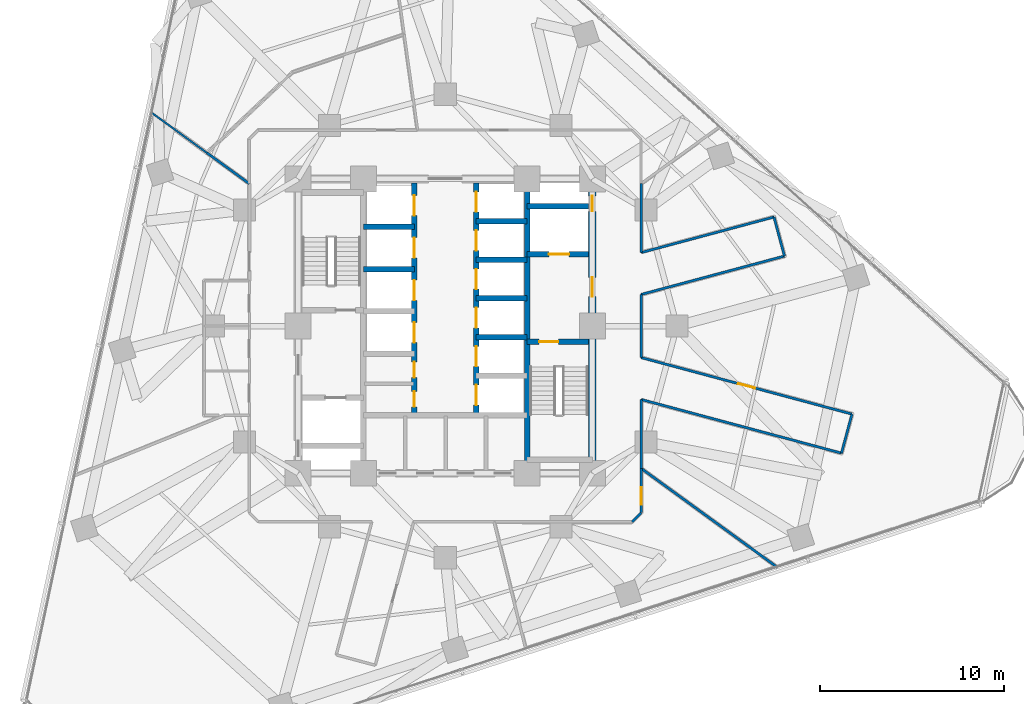
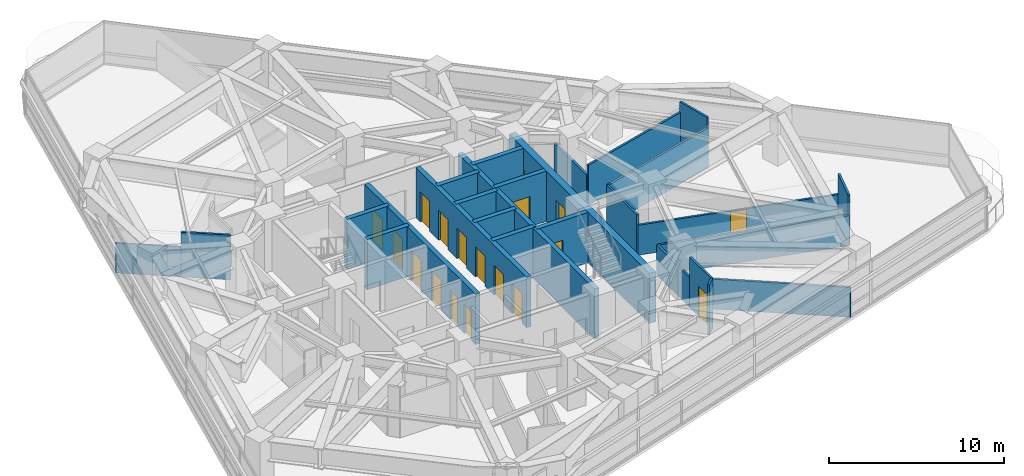
# One storey, part 9 of 14: 27 walls, 18 doors, 18 openings.
"""IFC4 building model written with IfcOpenShell, lengths in metres."""

from ifc_helpers import new_model, si_unit, direction, frame, frame_2d, origin, place, context, subcontext, project, spatial, rectangle, extrude, material, layer, layer_set, type_object, element, fill, save


model = new_model("IFC4")

# Units and contexts
model_context = context("Model", 3, precision=1e-05, world=origin(), true_north=direction((0.0, 1.0)))
body_context = subcontext(model_context, "Body", "Model", "MODEL_VIEW")
ifc_project = project(units=[si_unit("LENGTHUNIT", "METRE"), si_unit("AREAUNIT", "SQUARE_METRE"), si_unit("VOLUMEUNIT", "CUBIC_METRE"), si_unit("PLANEANGLEUNIT", "RADIAN"), si_unit("MASSUNIT", "GRAM", prefix="KILO")], contexts=[model_context])

# Site, building, storey
site_placement = place(None, origin())
site = spatial("IfcSite", under=ifc_project, at=site_placement, CompositionType="ELEMENT")
building_placement = place(site_placement, origin())
building = spatial("IfcBuilding", under=site, at=building_placement, Name="Terralouvre Media Tower", CompositionType="ELEMENT")
storey_placement = place(building_placement, frame((0.0, 0.0, 116.199951171875)))
storey = spatial("IfcBuildingStorey", under=building, at=storey_placement, Name="L29", CompositionType="ELEMENT", Elevation=116.199951171875)

# Wall
ifc_material_1 = material(Name="Concrete C50/60", Category="concrete")
ifc_layer_1 = layer(ifc_material_1, 0.300048828125, Name="Core Internal Shaft Wall CW-300")
ifc_layer_set_1 = layer_set([ifc_layer_1], Name="Concrete C50/60")
wall_type_1 = type_object("IfcWallType", Name="Core Internal Shaft Wall CW-300", PredefinedType="SHEAR", material=ifc_layer_set_1)
wall_1_placement = place(storey_placement, frame((4.449951171875, -7.7900390625, 0.0), z_axis=(0.0, 0.0, 1.0), x_axis=(0.0, 1.0, 0.0)))
element("IfcWall", 1, at=wall_1_placement, inside=storey, type_object=wall_type_1, Name="L29 Core Shaft Wall SPE", PredefinedType="SHEAR", context=body_context, shape_type="SweptSolid", body=[
    extrude(rectangle(XDim=15.580078125, YDim=0.300048828125, at=frame_2d((7.7900390625, 0.0))), origin(), (0.0, 0.0, 1.0), 3.5),
])

# Wall, opening, door
wall_2_placement = place(storey_placement, frame((4.449951171875, -0.85009765625, 0.0), z_axis=(0.0, 0.0, 1.0), x_axis=(1.0, 0.0, 0.0)))
wall_2 = element("IfcWall", 2, at=wall_2_placement, inside=storey, type_object=wall_type_1, Name="L29 Core Shaft Wall ST2D", PredefinedType="SHEAR", context=body_context, shape_type="SweptSolid", body=[
    extrude(rectangle(XDim=3.340087890625, YDim=0.300048828125, at=frame_2d((1.669921875, 0.0))), origin(), (0.0, 0.0, 1.0), 3.5),
])
opening_1_placement = place(wall_2_placement, frame((0.64990234375, 0.0, 0.0)))
opening_1 = element("IfcOpeningElement", 3, at=opening_1_placement, cuts=wall_2, Name="Opening FD-01-105X215", PredefinedType="OPENING", context=body_context, shape_type="SweptSolid", body=[
    extrude(rectangle(XDim=1.050048828125, YDim=2.14990234375, at=frame_2d((0.52490234375, 1.074951171875))), frame((0.0, 0.159912109375, 0.0), z_axis=(0.0, -1.0, 0.0), x_axis=(1.0, 0.0, 0.0)), (0.0, 0.0, 1.0), 0.320068359375),
])
ifc_material_2 = material(Name="Galvanised steel fire-resisting leaf", Category="steel")
door_type_1 = type_object("IfcDoorType", Name="Stair and Firefighting Lobby Fire Door FD-01 (1050x2150)", OperationType="NOTDEFINED", PredefinedType="DOOR", material=ifc_material_2)
door_1_placement = place(opening_1_placement, origin())
door_1 = element("IfcDoor", 4, at=door_1_placement, inside=storey, type_object=door_type_1, Name="L29 ST-02 Exit Stair Door", OperationType="SINGLE_SWING_RIGHT", OverallHeight=2.14990234375, OverallWidth=1.050048828125, PredefinedType="DOOR", context=body_context, shape_type="SweptSolid", body=[
    extrude(rectangle(XDim=1.050048828125, YDim=2.14990234375, at=frame_2d((0.52490234375, 1.074951171875))), frame((0.0, 0.02490234375, 0.0), z_axis=(0.0, -1.0, 0.0), x_axis=(1.0, 0.0, 0.0)), (0.0, 0.0, 1.0), 0.050048828125),
])
fill(opening_1, door_1)

wall_3_placement = place(storey_placement, frame((4.449951171875, 3.89990234375, 0.0), z_axis=(0.0, 0.0, 1.0), x_axis=(1.0, 0.0, 0.0)))
wall_3 = element("IfcWall", 5, at=wall_3_placement, inside=storey, type_object=wall_type_1, Name="L29 Core Shaft Wall FF2S", PredefinedType="SHEAR", context=body_context, shape_type="SweptSolid", body=[
    extrude(rectangle(XDim=3.340087890625, YDim=0.300048828125, at=frame_2d((1.669921875, 0.0))), origin(), (0.0, 0.0, 1.0), 3.5),
])
opening_2_placement = place(wall_3_placement, frame((1.179931640625, 0.0, 0.0)))
opening_2 = element("IfcOpeningElement", 6, at=opening_2_placement, cuts=wall_3, Name="Opening LD-FF", PredefinedType="OPENING", context=body_context, shape_type="SweptSolid", body=[
    extrude(rectangle(XDim=1.10009765625, YDim=2.10009765625, at=frame_2d((0.550048828125, 1.050048828125))), frame((0.0, 0.159912109375, 0.0), z_axis=(0.0, -1.0, 0.0), x_axis=(1.0, 0.0, 0.0)), (0.0, 0.0, 1.0), 0.320068359375),
])
ifc_material_3 = material(Name="Stainless steel 316 handrail and balustrade", Category="steel")
door_type_2 = type_object("IfcDoorType", Name="Firefighting Lift Sliding Landing Door LD-FF", OperationType="SLIDING_TO_LEFT", PredefinedType="DOOR", material=ifc_material_3)
door_2_placement = place(opening_2_placement, origin())
door_2 = element("IfcDoor", 7, at=door_2_placement, inside=storey, type_object=door_type_2, Name="L29 Firefighting Lift FFL-02 Landing Door", OperationType="SLIDING_TO_LEFT", OverallHeight=2.10009765625, OverallWidth=1.10009765625, PredefinedType="DOOR", context=body_context, shape_type="SweptSolid", body=[
    extrude(rectangle(XDim=1.10009765625, YDim=2.10009765625, at=frame_2d((0.550048828125, 1.050048828125))), frame((0.0, 0.02490234375, 0.0), z_axis=(0.0, -1.0, 0.0), x_axis=(1.0, 0.0, 0.0)), (0.0, 0.0, 1.0), 0.050048828125),
])
fill(opening_2, door_2)

# Wall
wall_4_placement = place(storey_placement, frame((4.449951171875, 6.5, 0.0), z_axis=(0.0, 0.0, 1.0), x_axis=(1.0, 0.0, 0.0)))
element("IfcWall", 8, at=wall_4_placement, inside=storey, type_object=wall_type_1, Name="L29 Core Shaft Wall FF2N", PredefinedType="SHEAR", context=body_context, shape_type="SweptSolid", body=[
    extrude(rectangle(XDim=3.340087890625, YDim=0.300048828125, at=frame_2d((1.669921875, 0.0))), origin(), (0.0, 0.0, 1.0), 3.5),
])

# Wall, openings, doors
wall_5_placement = place(storey_placement, frame((-1.679931640625, -4.85009765625, 0.0), z_axis=(0.0, 0.0, 1.0), x_axis=(0.0, 1.0, 0.0)))
wall_5 = element("IfcWall", 9, at=wall_5_placement, inside=storey, type_object=wall_type_1, Name="L29 Core Shaft Wall LBW", PredefinedType="SHEAR", context=body_context, shape_type="SweptSolid", body=[
    extrude(rectangle(XDim=12.64013671875, YDim=0.300048828125, at=frame_2d((6.320068359375, 0.0))), origin(), (0.0, 0.0, 1.0), 3.5),
])
opening_3_placement = place(wall_5_placement, frame((3.949951171875, 0.0, 0.0)))
opening_3 = element("IfcOpeningElement", 10, at=opening_3_placement, cuts=wall_5, Name="Opening LD-PL", PredefinedType="OPENING", context=body_context, shape_type="SweptSolid", body=[
    extrude(rectangle(XDim=1.10009765625, YDim=2.10009765625, at=frame_2d((0.550048828125, 1.050048828125))), frame((0.0, 0.159912109375, 0.0), z_axis=(0.0, -1.0, 0.0), x_axis=(1.0, 0.0, 0.0)), (0.0, 0.0, 1.0), 0.320068359375),
])
opening_4_placement = place(wall_5_placement, frame((6.25, 0.0, 0.0)))
opening_4 = element("IfcOpeningElement", 11, at=opening_4_placement, cuts=wall_5, Name="Opening LD-PL", PredefinedType="OPENING", context=body_context, shape_type="SweptSolid", body=[
    extrude(rectangle(XDim=1.10009765625, YDim=2.10009765625, at=frame_2d((0.550048828125, 1.050048828125))), frame((0.0, 0.159912109375, 0.0), z_axis=(0.0, -1.0, 0.0), x_axis=(1.0, 0.0, 0.0)), (0.0, 0.0, 1.0), 0.320068359375),
])
opening_5_placement = place(wall_5_placement, frame((8.550048828125, 0.0, 0.0)))
opening_5 = element("IfcOpeningElement", 12, at=opening_5_placement, cuts=wall_5, Name="Opening LD-PL", PredefinedType="OPENING", context=body_context, shape_type="SweptSolid", body=[
    extrude(rectangle(XDim=1.10009765625, YDim=2.10009765625, at=frame_2d((0.550048828125, 1.050048828125))), frame((0.0, 0.159912109375, 0.0), z_axis=(0.0, -1.0, 0.0), x_axis=(1.0, 0.0, 0.0)), (0.0, 0.0, 1.0), 0.320068359375),
])
opening_6_placement = place(wall_5_placement, frame((10.85009765625, 0.0, 0.0)))
opening_6 = element("IfcOpeningElement", 13, at=opening_6_placement, cuts=wall_5, Name="Opening LD-PL", PredefinedType="OPENING", context=body_context, shape_type="SweptSolid", body=[
    extrude(rectangle(XDim=1.10009765625, YDim=2.10009765625, at=frame_2d((0.550048828125, 1.050048828125))), frame((0.0, 0.159912109375, 0.0), z_axis=(0.0, -1.0, 0.0), x_axis=(1.0, 0.0, 0.0)), (0.0, 0.0, 1.0), 0.320068359375),
])
opening_7_placement = place(wall_5_placement, frame((0.449951171875, 0.0, 0.0)))
opening_7 = element("IfcOpeningElement", 14, at=opening_7_placement, cuts=wall_5, Name="Opening TD-R1", PredefinedType="OPENING", context=body_context, shape_type="SweptSolid", body=[
    extrude(rectangle(XDim=0.85009765625, YDim=2.02001953125, at=frame_2d((0.425048828125, 1.010009765625))), frame((0.0, 0.159912109375, 0.0), z_axis=(0.0, -1.0, 0.0), x_axis=(1.0, 0.0, 0.0)), (0.0, 0.0, 1.0), 0.320068359375),
])
opening_8_placement = place(wall_5_placement, frame((2.050048828125, 0.0, 0.0)))
opening_8 = element("IfcOpeningElement", 15, at=opening_8_placement, cuts=wall_5, Name="Opening TD-R1", PredefinedType="OPENING", context=body_context, shape_type="SweptSolid", body=[
    extrude(rectangle(XDim=0.85009765625, YDim=2.02001953125, at=frame_2d((0.425048828125, 1.010009765625))), frame((0.0, 0.159912109375, 0.0), z_axis=(0.0, -1.0, 0.0), x_axis=(1.0, 0.0, 0.0)), (0.0, 0.0, 1.0), 0.320068359375),
])
ifc_material_4 = material(Name="Stainless steel 316 handrail and balustrade", Category="steel")
door_type_3 = type_object("IfcDoorType", Name="Passenger Lift Sliding Landing Door LD-PL", OperationType="SLIDING_TO_LEFT", PredefinedType="DOOR", material=ifc_material_4)
door_3_placement = place(opening_3_placement, origin())
door_3 = element("IfcDoor", 16, at=door_3_placement, inside=storey, type_object=door_type_3, Name="L29 Low-Rise Lift PL-L1 Landing Door", OperationType="SLIDING_TO_LEFT", OverallHeight=2.10009765625, OverallWidth=1.10009765625, PredefinedType="DOOR", context=body_context, shape_type="SweptSolid", body=[
    extrude(rectangle(XDim=1.10009765625, YDim=2.10009765625, at=frame_2d((0.550048828125, 1.050048828125))), frame((0.0, 0.02490234375, 0.0), z_axis=(0.0, -1.0, 0.0), x_axis=(1.0, 0.0, 0.0)), (0.0, 0.0, 1.0), 0.050048828125),
])
fill(opening_3, door_3)
door_4_placement = place(opening_4_placement, origin())
door_4 = element("IfcDoor", 17, at=door_4_placement, inside=storey, type_object=door_type_3, Name="L29 Low-Rise Lift PL-L2 Landing Door", OperationType="SLIDING_TO_LEFT", OverallHeight=2.10009765625, OverallWidth=1.10009765625, PredefinedType="DOOR", context=body_context, shape_type="SweptSolid", body=[
    extrude(rectangle(XDim=1.10009765625, YDim=2.10009765625, at=frame_2d((0.550048828125, 1.050048828125))), frame((0.0, 0.02490234375, 0.0), z_axis=(0.0, -1.0, 0.0), x_axis=(1.0, 0.0, 0.0)), (0.0, 0.0, 1.0), 0.050048828125),
])
fill(opening_4, door_4)
door_5_placement = place(opening_5_placement, origin())
door_5 = element("IfcDoor", 18, at=door_5_placement, inside=storey, type_object=door_type_3, Name="L29 Low-Rise Lift PL-L3 Landing Door", OperationType="SLIDING_TO_LEFT", OverallHeight=2.10009765625, OverallWidth=1.10009765625, PredefinedType="DOOR", context=body_context, shape_type="SweptSolid", body=[
    extrude(rectangle(XDim=1.10009765625, YDim=2.10009765625, at=frame_2d((0.550048828125, 1.050048828125))), frame((0.0, 0.02490234375, 0.0), z_axis=(0.0, -1.0, 0.0), x_axis=(1.0, 0.0, 0.0)), (0.0, 0.0, 1.0), 0.050048828125),
])
fill(opening_5, door_5)
door_6_placement = place(opening_6_placement, origin())
door_6 = element("IfcDoor", 19, at=door_6_placement, inside=storey, type_object=door_type_3, Name="L29 Low-Rise Lift PL-L4 Landing Door", OperationType="SLIDING_TO_LEFT", OverallHeight=2.10009765625, OverallWidth=1.10009765625, PredefinedType="DOOR", context=body_context, shape_type="SweptSolid", body=[
    extrude(rectangle(XDim=1.10009765625, YDim=2.10009765625, at=frame_2d((0.550048828125, 1.050048828125))), frame((0.0, 0.02490234375, 0.0), z_axis=(0.0, -1.0, 0.0), x_axis=(1.0, 0.0, 0.0)), (0.0, 0.0, 1.0), 0.050048828125),
])
fill(opening_6, door_6)
ifc_material_5 = material(Name="Galvanised steel fire-resisting leaf", Category="steel")
door_type_4 = type_object("IfcDoorType", Name="Riser Inspection Access Trapdoor TD-R1", OperationType="NOTDEFINED", PredefinedType="TRAPDOOR", material=ifc_material_5)
door_7_placement = place(opening_7_placement, origin())
door_7 = element("IfcDoor", 20, at=door_7_placement, inside=storey, type_object=door_type_4, Name="L29 Core Cleaners Closet Door", OperationType="SINGLE_SWING_LEFT", OverallHeight=2.02001953125, OverallWidth=0.85009765625, PredefinedType="TRAPDOOR", context=body_context, shape_type="SweptSolid", body=[
    extrude(rectangle(XDim=0.85009765625, YDim=2.02001953125, at=frame_2d((0.425048828125, 1.010009765625))), frame((0.0, 0.02490234375, 0.0), z_axis=(0.0, -1.0, 0.0), x_axis=(1.0, 0.0, 0.0)), (0.0, 0.0, 1.0), 0.050048828125),
])
fill(opening_7, door_7)
door_8_placement = place(opening_8_placement, origin())
door_8 = element("IfcDoor", 21, at=door_8_placement, inside=storey, type_object=door_type_4, Name="L29 Core Metering Closet Door", OperationType="SINGLE_SWING_RIGHT", OverallHeight=2.02001953125, OverallWidth=0.85009765625, PredefinedType="TRAPDOOR", context=body_context, shape_type="SweptSolid", body=[
    extrude(rectangle(XDim=0.85009765625, YDim=2.02001953125, at=frame_2d((0.425048828125, 1.010009765625))), frame((0.0, 0.02490234375, 0.0), z_axis=(0.0, -1.0, 0.0), x_axis=(1.0, 0.0, 0.0)), (0.0, 0.0, 1.0), 0.050048828125),
])
fill(opening_8, door_8)

wall_6_placement = place(storey_placement, frame((1.679931640625, -4.85009765625, 0.0), z_axis=(0.0, 0.0, 1.0), x_axis=(0.0, 1.0, 0.0)))
wall_6 = element("IfcWall", 22, at=wall_6_placement, inside=storey, type_object=wall_type_1, Name="L29 Core Shaft Wall LBE", PredefinedType="SHEAR", context=body_context, shape_type="SweptSolid", body=[
    extrude(rectangle(XDim=12.64013671875, YDim=0.300048828125, at=frame_2d((6.320068359375, 0.0))), origin(), (0.0, 0.0, 1.0), 3.5),
])
opening_9_placement = place(wall_6_placement, frame((0.550048828125, 0.0, 0.0)))
opening_9 = element("IfcOpeningElement", 23, at=opening_9_placement, cuts=wall_6, Name="Opening LD-PL", PredefinedType="OPENING", context=body_context, shape_type="SweptSolid", body=[
    extrude(rectangle(XDim=1.10009765625, YDim=2.10009765625, at=frame_2d((0.550048828125, 1.050048828125))), frame((0.0, 0.159912109375, 0.0), z_axis=(0.0, -1.0, 0.0), x_axis=(1.0, 0.0, 0.0)), (0.0, 0.0, 1.0), 0.320068359375),
])
opening_10_placement = place(wall_6_placement, frame((2.64990234375, 0.0, 0.0)))
opening_10 = element("IfcOpeningElement", 24, at=opening_10_placement, cuts=wall_6, Name="Opening LD-PL", PredefinedType="OPENING", context=body_context, shape_type="SweptSolid", body=[
    extrude(rectangle(XDim=1.10009765625, YDim=2.10009765625, at=frame_2d((0.550048828125, 1.050048828125))), frame((0.0, 0.159912109375, 0.0), z_axis=(0.0, -1.0, 0.0), x_axis=(1.0, 0.0, 0.0)), (0.0, 0.0, 1.0), 0.320068359375),
])
opening_11_placement = place(wall_6_placement, frame((4.75, 0.0, 0.0)))
opening_11 = element("IfcOpeningElement", 25, at=opening_11_placement, cuts=wall_6, Name="Opening LD-PL", PredefinedType="OPENING", context=body_context, shape_type="SweptSolid", body=[
    extrude(rectangle(XDim=1.10009765625, YDim=2.10009765625, at=frame_2d((0.550048828125, 1.050048828125))), frame((0.0, 0.159912109375, 0.0), z_axis=(0.0, -1.0, 0.0), x_axis=(1.0, 0.0, 0.0)), (0.0, 0.0, 1.0), 0.320068359375),
])
opening_12_placement = place(wall_6_placement, frame((6.85009765625, 0.0, 0.0)))
opening_12 = element("IfcOpeningElement", 26, at=opening_12_placement, cuts=wall_6, Name="Opening LD-PL", PredefinedType="OPENING", context=body_context, shape_type="SweptSolid", body=[
    extrude(rectangle(XDim=1.10009765625, YDim=2.10009765625, at=frame_2d((0.550048828125, 1.050048828125))), frame((0.0, 0.159912109375, 0.0), z_axis=(0.0, -1.0, 0.0), x_axis=(1.0, 0.0, 0.0)), (0.0, 0.0, 1.0), 0.320068359375),
])
opening_13_placement = place(wall_6_placement, frame((8.949951171875, 0.0, 0.0)))
opening_13 = element("IfcOpeningElement", 27, at=opening_13_placement, cuts=wall_6, Name="Opening LD-PL", PredefinedType="OPENING", context=body_context, shape_type="SweptSolid", body=[
    extrude(rectangle(XDim=1.10009765625, YDim=2.10009765625, at=frame_2d((0.550048828125, 1.050048828125))), frame((0.0, 0.159912109375, 0.0), z_axis=(0.0, -1.0, 0.0), x_axis=(1.0, 0.0, 0.0)), (0.0, 0.0, 1.0), 0.320068359375),
])
opening_14_placement = place(wall_6_placement, frame((11.050048828125, 0.0, 0.0)))
opening_14 = element("IfcOpeningElement", 28, at=opening_14_placement, cuts=wall_6, Name="Opening LD-PL", PredefinedType="OPENING", context=body_context, shape_type="SweptSolid", body=[
    extrude(rectangle(XDim=1.10009765625, YDim=2.10009765625, at=frame_2d((0.550048828125, 1.050048828125))), frame((0.0, 0.159912109375, 0.0), z_axis=(0.0, -1.0, 0.0), x_axis=(1.0, 0.0, 0.0)), (0.0, 0.0, 1.0), 0.320068359375),
])
door_9_placement = place(opening_9_placement, origin())
door_9 = element("IfcDoor", 29, at=door_9_placement, inside=storey, type_object=door_type_3, Name="L29 High-Rise Lift PL-H1 Landing Door", OperationType="SLIDING_TO_LEFT", OverallHeight=2.10009765625, OverallWidth=1.10009765625, PredefinedType="DOOR", context=body_context, shape_type="SweptSolid", body=[
    extrude(rectangle(XDim=1.10009765625, YDim=2.10009765625, at=frame_2d((0.550048828125, 1.050048828125))), frame((0.0, 0.02490234375, 0.0), z_axis=(0.0, -1.0, 0.0), x_axis=(1.0, 0.0, 0.0)), (0.0, 0.0, 1.0), 0.050048828125),
])
fill(opening_9, door_9)
door_10_placement = place(opening_10_placement, origin())
door_10 = element("IfcDoor", 30, at=door_10_placement, inside=storey, type_object=door_type_3, Name="L29 High-Rise Lift PL-H2 Landing Door", OperationType="SLIDING_TO_LEFT", OverallHeight=2.10009765625, OverallWidth=1.10009765625, PredefinedType="DOOR", context=body_context, shape_type="SweptSolid", body=[
    extrude(rectangle(XDim=1.10009765625, YDim=2.10009765625, at=frame_2d((0.550048828125, 1.050048828125))), frame((0.0, 0.02490234375, 0.0), z_axis=(0.0, -1.0, 0.0), x_axis=(1.0, 0.0, 0.0)), (0.0, 0.0, 1.0), 0.050048828125),
])
fill(opening_10, door_10)
door_11_placement = place(opening_11_placement, origin())
door_11 = element("IfcDoor", 31, at=door_11_placement, inside=storey, type_object=door_type_3, Name="L29 High-Rise Lift PL-H3 Landing Door", OperationType="SLIDING_TO_LEFT", OverallHeight=2.10009765625, OverallWidth=1.10009765625, PredefinedType="DOOR", context=body_context, shape_type="SweptSolid", body=[
    extrude(rectangle(XDim=1.10009765625, YDim=2.10009765625, at=frame_2d((0.550048828125, 1.050048828125))), frame((0.0, 0.02490234375, 0.0), z_axis=(0.0, -1.0, 0.0), x_axis=(1.0, 0.0, 0.0)), (0.0, 0.0, 1.0), 0.050048828125),
])
fill(opening_11, door_11)
door_12_placement = place(opening_12_placement, origin())
door_12 = element("IfcDoor", 32, at=door_12_placement, inside=storey, type_object=door_type_3, Name="L29 Mid-Rise Lift PL-M1 Landing Door", OperationType="SLIDING_TO_LEFT", OverallHeight=2.10009765625, OverallWidth=1.10009765625, PredefinedType="DOOR", context=body_context, shape_type="SweptSolid", body=[
    extrude(rectangle(XDim=1.10009765625, YDim=2.10009765625, at=frame_2d((0.550048828125, 1.050048828125))), frame((0.0, 0.02490234375, 0.0), z_axis=(0.0, -1.0, 0.0), x_axis=(1.0, 0.0, 0.0)), (0.0, 0.0, 1.0), 0.050048828125),
])
fill(opening_12, door_12)
door_13_placement = place(opening_13_placement, origin())
door_13 = element("IfcDoor", 33, at=door_13_placement, inside=storey, type_object=door_type_3, Name="L29 Mid-Rise Lift PL-M2 Landing Door", OperationType="SLIDING_TO_LEFT", OverallHeight=2.10009765625, OverallWidth=1.10009765625, PredefinedType="DOOR", context=body_context, shape_type="SweptSolid", body=[
    extrude(rectangle(XDim=1.10009765625, YDim=2.10009765625, at=frame_2d((0.550048828125, 1.050048828125))), frame((0.0, 0.02490234375, 0.0), z_axis=(0.0, -1.0, 0.0), x_axis=(1.0, 0.0, 0.0)), (0.0, 0.0, 1.0), 0.050048828125),
])
fill(opening_13, door_13)
door_14_placement = place(opening_14_placement, origin())
door_14 = element("IfcDoor", 34, at=door_14_placement, inside=storey, type_object=door_type_3, Name="L29 Mid-Rise Lift PL-M3 Landing Door", OperationType="SLIDING_TO_LEFT", OverallHeight=2.10009765625, OverallWidth=1.10009765625, PredefinedType="DOOR", context=body_context, shape_type="SweptSolid", body=[
    extrude(rectangle(XDim=1.10009765625, YDim=2.10009765625, at=frame_2d((0.550048828125, 1.050048828125))), frame((0.0, 0.02490234375, 0.0), z_axis=(0.0, -1.0, 0.0), x_axis=(1.0, 0.0, 0.0)), (0.0, 0.0, 1.0), 0.050048828125),
])
fill(opening_14, door_14)

# Walls
for number, where, z_axis, x_axis, name in (
    (35, (-4.449951171875, 3.10009765625, 0.0), (0.0, 0.0, 1.0), (1.0, 0.0, 0.0), "L29 Core Shaft Wall PLLD2"),
    (36, (-4.449951171875, 5.39990234375, 0.0), (0.0, 0.0, 1.0), (1.0, 0.0, 0.0), "L29 Core Shaft Wall PLLD3"),
    (37, (1.679931640625, 1.5, 0.0), (0.0, 0.0, 1.0), (1.0, 0.0, 0.0), "L29 Core Shaft Wall PLMD0"),
    (38, (1.679931640625, 3.60009765625, 0.0), (0.0, 0.0, 1.0), (1.0, 0.0, 0.0), "L29 Core Shaft Wall PLMD1"),
    (39, (1.679931640625, 5.699951171875, 0.0), (0.0, 0.0, 1.0), (1.0, 0.0, 0.0), "L29 Core Shaft Wall PLMD2"),
    (40, (1.679931640625, -0.60009765625, 0.0), (0.0, 0.0, 1.0), (1.0, 0.0, 0.0), "L29 Core Shaft Wall PLHD2"),
):
    element("IfcWall", number, at=place(storey_placement, frame(where, z_axis=z_axis, x_axis=x_axis)), inside=storey, type_object=wall_type_1, Name=name, PredefinedType="SHEAR", context=body_context, shape_type="SweptSolid", body=[
        extrude(rectangle(XDim=2.77001953125, YDim=0.300048828125, at=frame_2d((1.385009765625, 0.0))), origin(), (0.0, 0.0, 1.0), 3.5),
    ])

# Wall, openings, doors
ifc_material_6 = material(Name="Concrete C60/75", Category="concrete")
ifc_layer_2 = layer(ifc_material_6, 0.419921875, Name="Core Reinforced Concrete Shear Wall CW-420")
ifc_layer_set_2 = layer_set([ifc_layer_2], Name="Concrete C60/75")
wall_type_2 = type_object("IfcWallType", Name="Core Reinforced Concrete Shear Wall CW-420", PredefinedType="SHEAR", material=ifc_layer_set_2)
wall_7_placement = place(storey_placement, frame((8.0, -8.0, 0.0), z_axis=(0.0, 0.0, 1.0), x_axis=(0.0, 1.0, 0.0)))
wall_7 = element("IfcWall", 41, at=wall_7_placement, inside=storey, type_object=wall_type_2, Name="L29 E Core Shear Wall", PredefinedType="SHEAR", context=body_context, shape_type="SweptSolid", body=[
    extrude(rectangle(XDim=16.0, YDim=0.419921875, at=frame_2d((8.0, 0.0))), origin(), (0.0, 0.0, 1.0), 3.5),
])
opening_15_placement = place(wall_7_placement, frame((9.60009765625, 0.0, 0.0)))
opening_15 = element("IfcOpeningElement", 42, at=opening_15_placement, cuts=wall_7, Name="Opening FD-01-105X215", PredefinedType="OPENING", context=body_context, shape_type="SweptSolid", body=[
    extrude(rectangle(XDim=1.050048828125, YDim=2.14990234375, at=frame_2d((0.52490234375, 1.074951171875))), frame((0.0, 0.219970703125, 0.0), z_axis=(0.0, -1.0, 0.0), x_axis=(1.0, 0.0, 0.0)), (0.0, 0.0, 1.0), 0.43994140625),
])
opening_16_placement = place(wall_7_placement, frame((14.228515625, 0.0, 0.0)))
opening_16 = element("IfcOpeningElement", 43, at=opening_16_placement, cuts=wall_7, Name="Opening TD-R1", PredefinedType="OPENING", context=body_context, shape_type="SweptSolid", body=[
    extrude(rectangle(XDim=0.85009765625, YDim=2.02001953125, at=frame_2d((0.425048828125, 1.010009765625))), frame((0.0, 0.219970703125, 0.0), z_axis=(0.0, -1.0, 0.0), x_axis=(1.0, 0.0, 0.0)), (0.0, 0.0, 1.0), 0.43994140625),
])
door_15_placement = place(opening_16_placement, origin())
door_15 = element("IfcDoor", 44, at=door_15_placement, inside=storey, type_object=door_type_4, Name="L29 East Comms Riser Access Trapdoor", OperationType="SINGLE_SWING_RIGHT", OverallHeight=2.02001953125, OverallWidth=0.85009765625, PredefinedType="TRAPDOOR", context=body_context, shape_type="SweptSolid", body=[
    extrude(rectangle(XDim=0.85009765625, YDim=2.02001953125, at=frame_2d((0.425048828125, 1.010009765625))), frame((0.0, 0.02490234375, 0.0), z_axis=(0.0, -1.0, 0.0), x_axis=(1.0, 0.0, 0.0)), (0.0, 0.0, 1.0), 0.050048828125),
])
fill(opening_16, door_15)
door_16_placement = place(opening_15_placement, origin())
door_16 = element("IfcDoor", 45, at=door_16_placement, inside=storey, type_object=door_type_1, Name="L29 East Firefighting Lobby Entry Door", OperationType="SINGLE_SWING_LEFT", OverallHeight=2.14990234375, OverallWidth=1.050048828125, PredefinedType="DOOR", context=body_context, shape_type="SweptSolid", body=[
    extrude(rectangle(XDim=1.050048828125, YDim=2.14990234375, at=frame_2d((0.52490234375, 1.074951171875))), frame((0.0, 0.02490234375, 0.0), z_axis=(0.0, -1.0, 0.0), x_axis=(1.0, 0.0, 0.0)), (0.0, 0.0, 1.0), 0.050048828125),
])
fill(opening_15, door_16)

# Walls
ifc_material_7 = material(Name="Low-iron laminated double glazing with solar-control coating", Category="glass")
ifc_layer_3 = layer(ifc_material_7, 0.10009765625, Name="Demountable Glazed Office Partition PT-GL100")
ifc_layer_set_3 = layer_set([ifc_layer_3], Name="Low-iron laminated double glazing with solar-control coating")
wall_type_3 = type_object("IfcWallType", Name="Demountable Glazed Office Partition PT-GL100", PredefinedType="MOVABLE", material=ifc_layer_set_3)
wall_8_placement = place(storey_placement, frame((-16.00439453125, 11.627685546875, 0.0), z_axis=(0.0, 0.0, 1.0), x_axis=(0.809035789462, -0.587759382205, 0.0)))
element("IfcWall", 46, at=wall_8_placement, inside=storey, type_object=wall_type_3, Name="L29 Interior Partition 044", PredefinedType="MOVABLE", context=body_context, shape_type="SweptSolid", body=[
    extrude(rectangle(XDim=3.767822265625, YDim=0.10009765625, at=frame_2d((1.8837890625, 0.0))), origin(), (0.0, 0.0, 1.0), 2.0849609375),
])
ifc_material_8 = material(Name="Fire-rated gypsum board drywall partition")
ifc_layer_4 = layer(ifc_material_8, 0.135009765625, Name="Newsroom Acoustic Partition PT-135")
ifc_layer_set_4 = layer_set([ifc_layer_4], Name="Fire-rated gypsum board drywall partition")
wall_type_4 = type_object("IfcWallType", Name="Newsroom Acoustic Partition PT-135", PredefinedType="PARTITIONING", material=ifc_layer_set_4)
wall_9_placement = place(storey_placement, frame((10.64990234375, -7.738037109375, 0.0), z_axis=(0.0, 0.0, 1.0), x_axis=(0.0, 1.0, 0.0)))
element("IfcWall", 47, at=wall_9_placement, inside=storey, type_object=wall_type_4, Name="L29 Interior Partition 001", PredefinedType="PARTITIONING", context=body_context, shape_type="SweptSolid", body=[
    extrude(rectangle(XDim=3.74609375, YDim=0.135009765625, at=frame_2d((1.873046875, 0.0))), origin(), (0.0, 0.0, 1.0), 2.0849609375),
])
wall_10_placement = place(storey_placement, frame((10.64990234375, -3.991943359375, 0.0), z_axis=(0.0, 0.0, 1.0), x_axis=(0.965906888357, -0.258889712088, 0.0)))
element("IfcWall", 48, at=wall_10_placement, inside=storey, type_object=wall_type_4, Name="L29 Interior Partition 002", PredefinedType="PARTITIONING", context=body_context, shape_type="SweptSolid", body=[
    extrude(rectangle(XDim=11.279541015625, YDim=0.135009765625, at=frame_2d((5.6396484375, 0.0))), origin(), (0.0, 0.0, 1.0), 2.0849609375),
])
wall_11_placement = place(storey_placement, frame((21.544921875, -6.912109375, 0.0), z_axis=(0.0, 0.0, 1.0), x_axis=(0.259105843213, 0.965848933329, 0.0)))
element("IfcWall", 49, at=wall_11_placement, inside=storey, type_object=wall_type_4, Name="L29 Interior Partition 003", PredefinedType="PARTITIONING", context=body_context, shape_type="SweptSolid", body=[
    extrude(rectangle(XDim=2.2001953125, YDim=0.135009765625, at=frame_2d((1.10009765625, 0.0))), origin(), (0.0, 0.0, 1.0), 3.5),
])

# Wall, opening, door
wall_12_placement = place(storey_placement, frame((22.114990234375, -4.787109375, 0.0), z_axis=(0.0, 0.0, 1.0), x_axis=(-0.965926659449, 0.258815935688, 0.0)))
wall_12 = element("IfcWall", 50, at=wall_12_placement, inside=storey, type_object=wall_type_4, Name="L29 Interior Partition 004", PredefinedType="PARTITIONING", context=body_context, shape_type="SweptSolid", body=[
    extrude(rectangle(XDim=11.86962890625, YDim=0.135009765625, at=frame_2d((5.934814453125, 0.0))), origin(), (0.0, 0.0, 1.0), 2.0849609375),
])
opening_17_placement = place(wall_12_placement, frame((5.459716796875, 0.0, 0.0)))
opening_17 = element("IfcOpeningElement", 51, at=opening_17_placement, cuts=wall_12, Name="Opening ID-02-95X206", PredefinedType="OPENING", context=body_context, shape_type="SweptSolid", body=[
    extrude(rectangle(XDim=0.949951171875, YDim=2.034912109375, at=frame_2d((0.47509765625, 1.017578125))), frame((0.0, 0.077392578125, 0.0), z_axis=(0.0, -1.0, 0.0), x_axis=(1.0, 0.0, 0.0)), (0.0, 0.0, 1.0), 0.155029296875),
])
ifc_material_9 = material(Name="Engineered hardwood acoustic timber leaf", Category="wood")
door_type_5 = type_object("IfcDoorType", Name="Office and Meeting Room Door ID-02 (950x2065)", OperationType="NOTDEFINED", PredefinedType="DOOR", material=ifc_material_9)
door_17_placement = place(opening_17_placement, origin())
door_17 = element("IfcDoor", 52, at=door_17_placement, inside=storey, type_object=door_type_5, Name="L29 Syndication Desk Office 1 Door", OperationType="SINGLE_SWING_RIGHT", OverallHeight=2.034912109375, OverallWidth=0.949951171875, PredefinedType="DOOR", context=body_context, shape_type="SweptSolid", body=[
    extrude(rectangle(XDim=0.949951171875, YDim=2.034912109375, at=frame_2d((0.47509765625, 1.017578125))), frame((0.0, 0.02490234375, 0.0), z_axis=(0.0, -1.0, 0.0), x_axis=(1.0, 0.0, 0.0)), (0.0, 0.0, 1.0), 0.050048828125),
])
fill(opening_17, door_17)

# Walls
wall_13_placement = place(storey_placement, frame((10.64990234375, -1.715087890625, 0.0), z_axis=(0.0, 0.0, 1.0), x_axis=(0.0, 1.0, 0.0)))
element("IfcWall", 53, at=wall_13_placement, inside=storey, type_object=wall_type_4, Name="L29 Interior Partition 005", PredefinedType="PARTITIONING", context=body_context, shape_type="SweptSolid", body=[
    extrude(rectangle(XDim=3.43017578125, YDim=0.135009765625, at=frame_2d((1.715087890625, 0.0))), origin(), (0.0, 0.0, 1.0), 2.78515625),
])
wall_14_placement = place(storey_placement, frame((10.64990234375, 1.715087890625, 0.0), z_axis=(0.0, 0.0, 1.0), x_axis=(0.965943055062, 0.258754737882, 0.0)))
element("IfcWall", 54, at=wall_14_placement, inside=storey, type_object=wall_type_4, Name="L29 Interior Partition 006", PredefinedType="PARTITIONING", context=body_context, shape_type="SweptSolid", body=[
    extrude(rectangle(XDim=8.069091796875, YDim=0.135009765625, at=frame_2d((4.03466796875, 0.0))), origin(), (0.0, 0.0, 1.0), 2.78515625),
])
wall_15_placement = place(storey_placement, frame((18.444091796875, 3.802978515625, 0.0), z_axis=(0.0, 0.0, 1.0), x_axis=(-0.258691706618, 0.965959937537, 0.0)))
element("IfcWall", 55, at=wall_15_placement, inside=storey, type_object=wall_type_4, Name="L29 Interior Partition 007", PredefinedType="PARTITIONING", context=body_context, shape_type="SweptSolid", body=[
    extrude(rectangle(XDim=2.199951171875, YDim=0.135009765625, at=frame_2d((1.10009765625, 0.0))), origin(), (0.0, 0.0, 1.0), 3.5),
])
wall_16_placement = place(storey_placement, frame((17.875, 5.927978515625, 0.0), z_axis=(0.0, 0.0, 1.0), x_axis=(-0.965923283659, -0.258828534142, 0.0)))
element("IfcWall", 56, at=wall_16_placement, inside=storey, type_object=wall_type_4, Name="L29 Interior Partition 008", PredefinedType="PARTITIONING", context=body_context, shape_type="SweptSolid", body=[
    extrude(rectangle(XDim=7.47998046875, YDim=0.135009765625, at=frame_2d((3.739990234375, 0.0))), origin(), (0.0, 0.0, 1.0), 2.78515625),
])
wall_17_placement = place(storey_placement, frame((10.64990234375, 3.991943359375, 0.0), z_axis=(0.0, 0.0, 1.0), x_axis=(0.0, 1.0, 0.0)))
element("IfcWall", 57, at=wall_17_placement, inside=storey, type_object=wall_type_4, Name="L29 Interior Partition 009", PredefinedType="PARTITIONING", context=body_context, shape_type="SweptSolid", body=[
    extrude(rectangle(XDim=3.74609375, YDim=0.135009765625, at=frame_2d((1.873046875, 0.0))), origin(), (0.0, 0.0, 1.0), 2.0849609375),
])
wall_18_placement = place(storey_placement, frame((10.14990234375, -10.64990234375, 0.0), z_axis=(0.0, 0.0, 1.0), x_axis=(0.707106781187, 0.707106781187, 0.0)))
element("IfcWall", 58, at=wall_18_placement, inside=storey, type_object=wall_type_4, Name="L29 Interior Partition 020", PredefinedType="PARTITIONING", context=body_context, shape_type="SweptSolid", body=[
    extrude(rectangle(XDim=0.70703125, YDim=0.135009765625, at=frame_2d((0.353515625, 0.0))), origin(), (0.0, 0.0, 1.0), 3.5),
])

# Wall, opening, door
wall_19_placement = place(storey_placement, frame((10.64990234375, -10.14990234375, 0.0), z_axis=(0.0, 0.0, 1.0), x_axis=(0.0, 1.0, 0.0)))
wall_19 = element("IfcWall", 59, at=wall_19_placement, inside=storey, type_object=wall_type_4, Name="L29 Interior Partition 021", PredefinedType="PARTITIONING", context=body_context, shape_type="SweptSolid", body=[
    extrude(rectangle(XDim=2.411865234375, YDim=0.135009765625, at=frame_2d((1.2060546875, 0.0))), origin(), (0.0, 0.0, 1.0), 3.5),
])
opening_18_placement = place(wall_19_placement, frame((0.441650390625, 0.0, 0.0)))
opening_18 = element("IfcOpeningElement", 60, at=opening_18_placement, cuts=wall_19, Name="Opening ID-02-95X210", PredefinedType="OPENING", context=body_context, shape_type="SweptSolid", body=[
    extrude(rectangle(XDim=0.949951171875, YDim=2.10009765625, at=frame_2d((0.47509765625, 1.050048828125))), frame((0.0, 0.077392578125, 0.0), z_axis=(0.0, -1.0, 0.0), x_axis=(1.0, 0.0, 0.0)), (0.0, 0.0, 1.0), 0.155029296875),
])
ifc_material_10 = material(Name="Engineered hardwood acoustic timber leaf", Category="wood")
door_type_6 = type_object("IfcDoorType", Name="Office and Meeting Room Door ID-02 (950x2100)", OperationType="NOTDEFINED", PredefinedType="DOOR", material=ifc_material_10)
door_18_placement = place(opening_18_placement, origin())
door_18 = element("IfcDoor", 61, at=door_18_placement, inside=storey, type_object=door_type_6, Name="L29 Media Club Panoramic Lounge 3 Door", OperationType="SINGLE_SWING_RIGHT", OverallHeight=2.10009765625, OverallWidth=0.949951171875, PredefinedType="DOOR", context=body_context, shape_type="SweptSolid", body=[
    extrude(rectangle(XDim=0.949951171875, YDim=2.10009765625, at=frame_2d((0.47509765625, 1.050048828125))), frame((0.0, 0.02490234375, 0.0), z_axis=(0.0, -1.0, 0.0), x_axis=(1.0, 0.0, 0.0)), (0.0, 0.0, 1.0), 0.050048828125),
])
fill(opening_18, door_18)

# Walls
wall_20_placement = place(storey_placement, frame((10.64990234375, -7.738037109375, 0.0), z_axis=(0.0, 0.0, 1.0), x_axis=(0.809037487075, -0.587757045477, 0.0)))
element("IfcWall", 62, at=wall_20_placement, inside=storey, type_object=wall_type_4, Name="L29 Interior Partition 030", PredefinedType="PARTITIONING", context=body_context, shape_type="SweptSolid", body=[
    extrude(rectangle(XDim=9.174072265625, YDim=0.135009765625, at=frame_2d((4.5869140625, 0.0))), origin(), (0.0, 0.0, 1.0), 2.0849609375),
])
wall_21_placement = place(storey_placement, frame((-12.9560546875, 9.4130859375, 0.0), z_axis=(0.0, 0.0, 1.0), x_axis=(0.809095220568, -0.587677568105, 0.0)))
element("IfcWall", 63, at=wall_21_placement, inside=storey, type_object=wall_type_4, Name="L29 Interior Partition 045", PredefinedType="PARTITIONING", context=body_context, shape_type="SweptSolid", body=[
    extrude(rectangle(XDim=2.850341796875, YDim=0.135009765625, at=frame_2d((1.42529296875, 0.0))), origin(), (0.0, 0.0, 1.0), 3.125),
])

save(model, "model.ifc")
